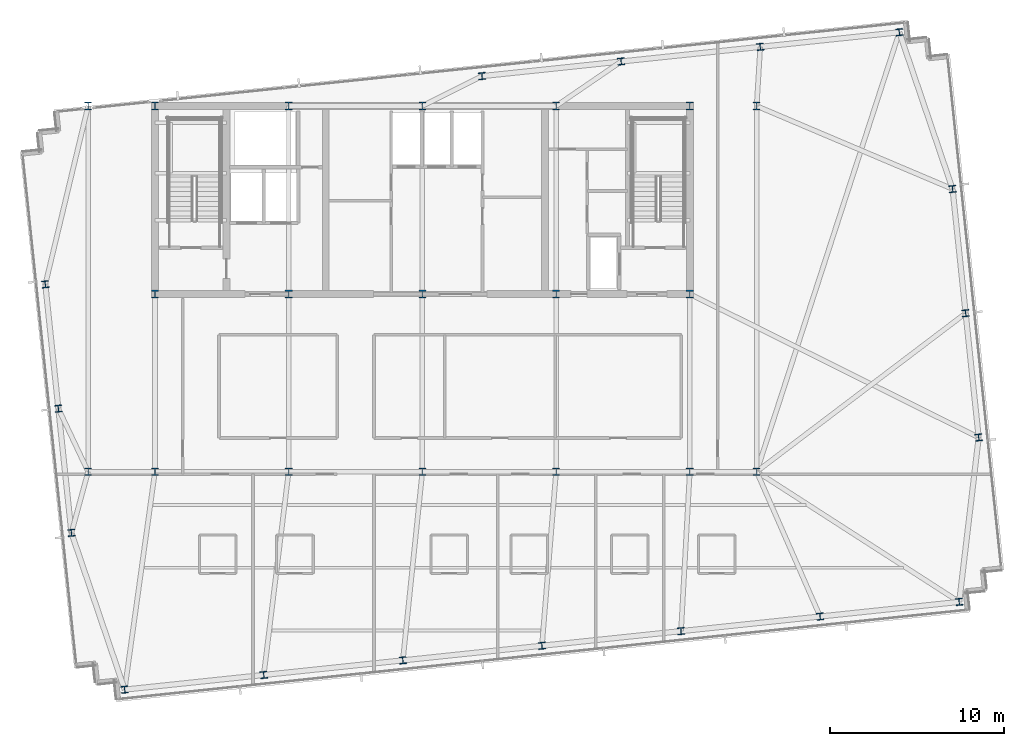
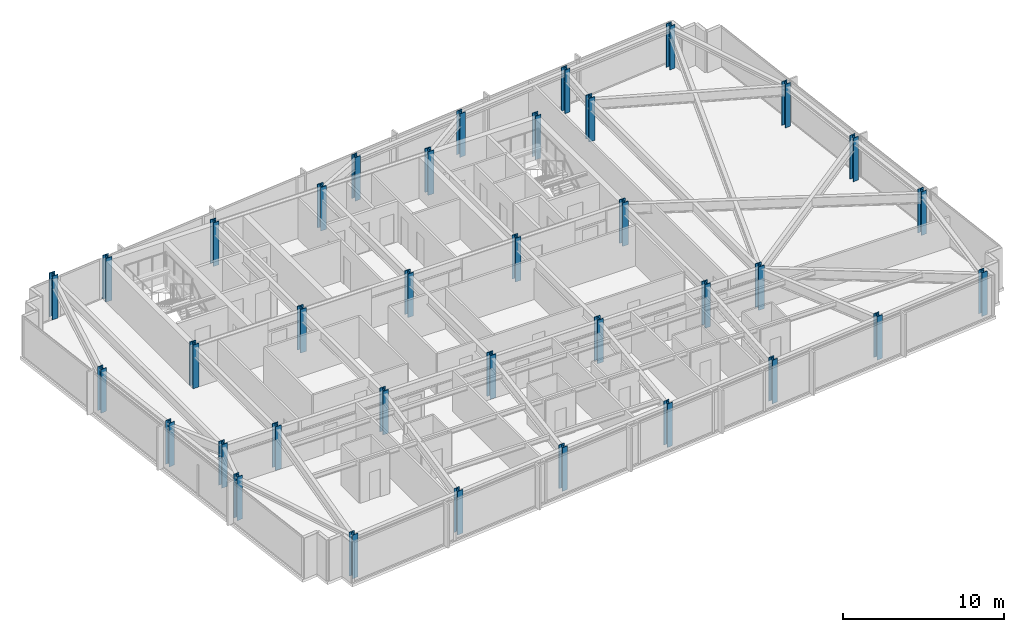
# One storey, part 1 of 33: 36 columns.
"""IFC4 building model written with IfcOpenShell, lengths in metres."""

from ifc_helpers import new_model, si_unit, direction, frame, origin, origin_2d, place, context, subcontext, project, spatial, i_section, extrude, material, material_profile, profile_set, type_object, element, save


model = new_model("IFC4")

# Units and contexts
model_context = context("Model", 3, precision=1e-05, world=origin(), true_north=direction((0.0, 1.0)))
body_context = subcontext(model_context, "Body", "Model", "MODEL_VIEW")
ifc_project = project(units=[si_unit("LENGTHUNIT", "METRE"), si_unit("AREAUNIT", "SQUARE_METRE"), si_unit("VOLUMEUNIT", "CUBIC_METRE"), si_unit("PLANEANGLEUNIT", "RADIAN"), si_unit("MASSUNIT", "GRAM", prefix="KILO")], contexts=[model_context])

# Site, building, storey
site_placement = place(None, origin())
site = spatial("IfcSite", under=ifc_project, at=site_placement, CompositionType="ELEMENT")
building_placement = place(site_placement, origin())
building = spatial("IfcBuilding", under=site, at=building_placement, Name="Yelkora Congress Tower", CompositionType="ELEMENT")
storey_placement = place(building_placement, frame((0.0, 0.0, 240.800048828125)))
storey = spatial("IfcBuildingStorey", under=building, at=storey_placement, Name="L67", CompositionType="ELEMENT", Elevation=240.800048828125)

# Columns
ifc_material_1 = material(Name="Steel S355J2", Category="steel")
ifc_material_profile_1 = material_profile(ifc_material_1, i_section(OverallWidth=0.40087890625, OverallDepth=0.39892578125, WebThickness=0.02490234375, FlangeThickness=0.03955078125, FilletRadius=0.014892578125, at=origin_2d()), Name="HD 400x314")
ifc_profile_set_1 = profile_set([ifc_material_profile_1], Name="Steel S355J2")
column_type_1 = type_object("IfcColumnType", Name="COL-HD-314-EXT", PredefinedType="COLUMN", material=ifc_profile_set_1)
for number, where, z_axis, x_axis, name in (
    (1, (21.299072265625, 12.678466796875, 0.0), (0.0, 0.0, 1.0), (0.994521895368, 0.104528463268, 0.0), "L67 Perimeter Column S01"),
    (2, (29.288330078125, 13.518310546875, 0.0), (0.0, 0.0, 1.0), (0.994521895368, 0.104528463268, 0.0), "L67 Perimeter Column S02"),
    (3, (37.277587890625, 14.35791015625, 0.0), (0.0, 0.0, 1.0), (0.994521895368, 0.104528463268, 0.0), "L67 Perimeter Column S03"),
    (4, (45.26708984375, 15.197509765625, 0.0), (0.0, 0.0, 1.0), (0.994521895368, 0.104528463268, 0.0), "L67 Perimeter Column S04"),
    (5, (53.25634765625, 16.037353515625, 0.0), (0.0, 0.0, 1.0), (0.994521895368, 0.104528463268, 0.0), "L67 Perimeter Column S05"),
    (6, (61.24560546875, 16.877197265625, 0.0), (0.0, 0.0, 1.0), (0.994521895368, 0.104528463268, 0.0), "L67 Perimeter Column S06"),
    (7, (69.235107421875, 17.716796875, 0.0), (0.0, 0.0, 1.0), (0.994521895368, 0.104528463268, 0.0), "L67 Perimeter Column S07"),
    (8, (41.828125, 47.91748046875, 0.0), (0.0, 0.0, 1.0), (0.994521895368, 0.104528463268, 0.0), "L67 Perimeter Column N04"),
    (9, (49.8173828125, 48.757080078125, 0.0), (0.0, 0.0, 1.0), (0.994521895368, 0.104528463268, 0.0), "L67 Perimeter Column N05"),
    (10, (57.806640625, 49.5966796875, 0.0), (0.0, 0.0, 1.0), (0.994521895368, 0.104528463268, 0.0), "L67 Perimeter Column N06"),
    (11, (65.7958984375, 50.4365234375, 0.0), (0.0, 0.0, 1.0), (0.994521895368, 0.104528463268, 0.0), "L67 Perimeter Column N07"),
    (12, (18.2412109375, 21.68310546875, 0.0), (0.0, 0.0, 1.0), (0.994521895368, 0.104528463268, 0.0), "L67 Perimeter Column W01"),
    (13, (70.35400390625, 27.160400390625, 0.0), (0.0, 0.0, 1.0), (0.994521895368, 0.104528463268, 0.0), "L67 Perimeter Column E01"),
    (14, (17.4912109375, 28.81884765625, 0.0), (0.0, 0.0, 1.0), (0.994521895368, 0.104528463268, 0.0), "L67 Perimeter Column W02"),
    (15, (69.60400390625, 34.296142578125, 0.0), (0.0, 0.0, 1.0), (0.994521895368, 0.104528463268, 0.0), "L67 Perimeter Column E02"),
    (16, (16.7412109375, 35.95458984375, 0.0), (0.0, 0.0, 1.0), (0.994521895368, 0.104528463268, 0.0), "L67 Perimeter Column W03"),
    (17, (68.85400390625, 41.431884765625, 0.0), (0.0, 0.0, 1.0), (0.994521895368, 0.104528463268, 0.0), "L67 Perimeter Column E03"),
):
    element("IfcColumn", number, at=place(storey_placement, frame(where, z_axis=z_axis, x_axis=x_axis)), inside=storey, type_object=column_type_1, Name=name, PredefinedType="COLUMN", context=body_context, shape_type="SweptSolid", body=[
        extrude(i_section(OverallWidth=0.40087890625, OverallDepth=0.39892578125, WebThickness=0.02490234375, FlangeThickness=0.03955078125, FilletRadius=0.014892578125, at=origin_2d()), origin(), (0.0, 0.0, 1.0), 3.300048828125),
    ])
ifc_material_2 = material(Name="Steel S460M", Category="steel")
ifc_material_profile_2 = material_profile(ifc_material_2, i_section(OverallWidth=0.412109375, OverallDepth=0.43505859375, WebThickness=0.035888671875, FlangeThickness=0.05810546875, FilletRadius=0.014892578125, at=origin_2d()), Name="HD 400x463")
ifc_profile_set_2 = profile_set([ifc_material_profile_2], Name="Steel S460M")
column_type_2 = type_object("IfcColumnType", Name="COL-HD-463", PredefinedType="COLUMN", material=ifc_profile_set_2)
for number, where, z_axis, x_axis, name in (
    (18, (23.0400390625, 35.39990234375, 0.0), (0.0, 0.0, 1.0), (1.0, 0.0, 0.0), "L67 Mega Column MC-S1"),
    (19, (23.0400390625, 46.199951171875, 0.0), (0.0, 0.0, 1.0), (1.0, 0.0, 0.0), "L67 Mega Column MC-N1"),
    (20, (23.0400390625, 25.199951171875, 0.0), (0.0, 0.0, 1.0), (1.0, 0.0, 0.0), "L67 Mega Column MC-D1"),
    (21, (30.719970703125, 35.39990234375, 0.0), (0.0, 0.0, 1.0), (1.0, 0.0, 0.0), "L67 Mega Column MC-S2"),
    (22, (30.719970703125, 46.199951171875, 0.0), (0.0, 0.0, 1.0), (1.0, 0.0, 0.0), "L67 Mega Column MC-N2"),
    (23, (30.719970703125, 25.199951171875, 0.0), (0.0, 0.0, 1.0), (1.0, 0.0, 0.0), "L67 Mega Column MC-D2"),
    (24, (38.39990234375, 35.39990234375, 0.0), (0.0, 0.0, 1.0), (1.0, 0.0, 0.0), "L67 Mega Column MC-S3"),
    (25, (38.39990234375, 46.199951171875, 0.0), (0.0, 0.0, 1.0), (1.0, 0.0, 0.0), "L67 Mega Column MC-N3"),
    (26, (38.39990234375, 25.199951171875, 0.0), (0.0, 0.0, 1.0), (1.0, 0.0, 0.0), "L67 Mega Column MC-D3"),
    (27, (46.080078125, 35.39990234375, 0.0), (0.0, 0.0, 1.0), (1.0, 0.0, 0.0), "L67 Mega Column MC-S4"),
    (28, (46.080078125, 46.199951171875, 0.0), (0.0, 0.0, 1.0), (1.0, 0.0, 0.0), "L67 Mega Column MC-N4"),
    (29, (46.080078125, 25.199951171875, 0.0), (0.0, 0.0, 1.0), (1.0, 0.0, 0.0), "L67 Mega Column MC-D4"),
    (30, (53.760009765625, 35.39990234375, 0.0), (0.0, 0.0, 1.0), (1.0, 0.0, 0.0), "L67 Mega Column MC-S5"),
    (31, (53.760009765625, 46.199951171875, 0.0), (0.0, 0.0, 1.0), (1.0, 0.0, 0.0), "L67 Mega Column MC-N5"),
    (32, (53.760009765625, 25.199951171875, 0.0), (0.0, 0.0, 1.0), (1.0, 0.0, 0.0), "L67 Mega Column MC-D5"),
    (33, (19.199951171875, 25.199951171875, 0.0), (0.0, 0.0, 1.0), (1.0, 0.0, 0.0), "L67 Mega Column MC-F1"),
    (34, (57.60009765625, 25.199951171875, 0.0), (0.0, 0.0, 1.0), (1.0, 0.0, 0.0), "L67 Mega Column MC-F2"),
    (35, (19.199951171875, 46.199951171875, 0.0), (0.0, 0.0, 1.0), (1.0, 0.0, 0.0), "L67 Mega Column MC-F3"),
    (36, (57.60009765625, 46.199951171875, 0.0), (0.0, 0.0, 1.0), (1.0, 0.0, 0.0), "L67 Mega Column MC-F4"),
):
    element("IfcColumn", number, at=place(storey_placement, frame(where, z_axis=z_axis, x_axis=x_axis)), inside=storey, type_object=column_type_2, Name=name, PredefinedType="COLUMN", context=body_context, shape_type="SweptSolid", body=[
        extrude(i_section(OverallWidth=0.412109375, OverallDepth=0.43505859375, WebThickness=0.035888671875, FlangeThickness=0.05810546875, FilletRadius=0.014892578125, at=origin_2d()), origin(), (0.0, 0.0, 1.0), 3.300048828125),
    ])

save(model, "model.ifc")
